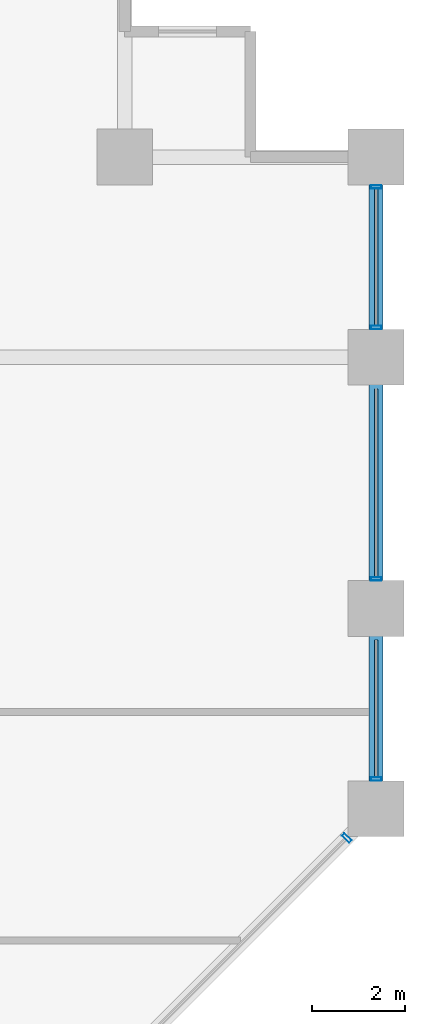
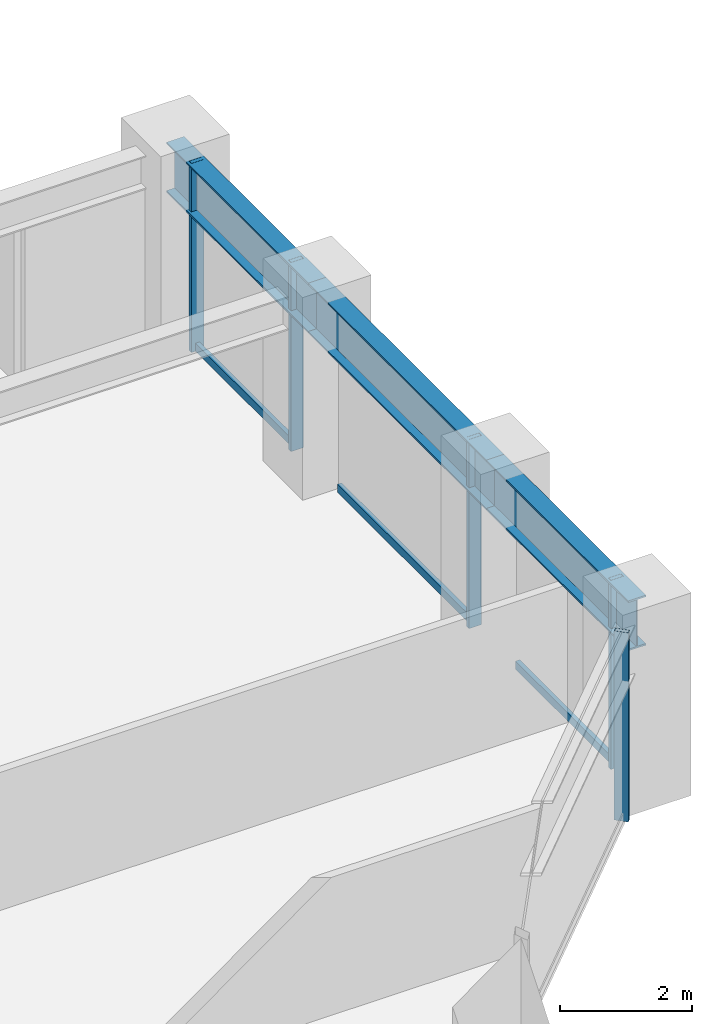
# One storey, part 17 of 26: 8 members, 3 beams, 2 elements without a shape of their own.
"""IFC4 building model written with IfcOpenShell, lengths in metres."""

from ifc_helpers import new_model, si_unit, direction, frame, origin, origin_2d, place, context, subcontext, project, spatial, hollow_rectangle, i_section, extrude, material, layer, layer_set, material_profile, profile_set, type_object, element, aggregate, save


model = new_model("IFC4")

# Units and contexts
model_context = context("Model", 3, precision=1e-05, world=origin(), true_north=direction((0.0, 1.0)))
body_context = subcontext(model_context, "Body", "Model", "MODEL_VIEW")
ifc_project = project(units=[si_unit("LENGTHUNIT", "METRE"), si_unit("AREAUNIT", "SQUARE_METRE"), si_unit("VOLUMEUNIT", "CUBIC_METRE"), si_unit("PLANEANGLEUNIT", "RADIAN"), si_unit("MASSUNIT", "GRAM", prefix="KILO")], contexts=[model_context])

# Site, building, storey
site_placement = place(None, origin())
site = spatial("IfcSite", under=ifc_project, at=site_placement, CompositionType="ELEMENT")
building_placement = place(site_placement, origin())
building = spatial("IfcBuilding", under=site, at=building_placement, Name="Surkhivell Harbour Commons", CompositionType="ELEMENT")
storey_placement = place(building_placement, frame((0.0, 0.0, 75.0)))
storey = spatial("IfcBuildingStorey", under=building, at=storey_placement, Name="L19", CompositionType="ELEMENT", Elevation=75.0)

# Beams
ifc_material_1 = material(Name="Steel S460", Category="steel")
ifc_material_profile_1 = material_profile(ifc_material_1, i_section(OverallWidth=0.30810546875, OverallDepth=0.927001953125, WebThickness=0.01953125, FlangeThickness=0.031982421875, at=origin_2d()), Name="UB914x305x289")
ifc_profile_set_1 = profile_set([ifc_material_profile_1], Name="Steel S460")
beam_type = type_object("IfcBeamType", Name="BM-SPN-914B", PredefinedType="SPANDREL", material=ifc_profile_set_1)
beam_1_placement = place(storey_placement, frame((32.39990234375, 6.5, 3.03662109375), z_axis=(0.0, 1.0, 0.0), x_axis=(-1.0, 0.0, 0.0)))
element("IfcBeam", 1, at=beam_1_placement, inside=storey, type_object=beam_type, Name="L19 Tube Spandrel (32.4,6.5)", PredefinedType="SPANDREL", context=body_context, shape_type="SweptSolid", body=[
    extrude(i_section(OverallWidth=0.30810546875, OverallDepth=0.927001953125, WebThickness=0.01953125, FlangeThickness=0.031982421875, at=origin_2d()), origin(), (0.0, 0.0, 1.0), 4.300048828125),
])
beam_2_placement = place(storey_placement, frame((32.39990234375, 10.800048828125, 3.03662109375), z_axis=(0.0, 1.0, 0.0), x_axis=(-1.0, 0.0, 0.0)))
element("IfcBeam", 2, at=beam_2_placement, inside=storey, type_object=beam_type, Name="L19 Tube Spandrel (32.4,10.8)", PredefinedType="SPANDREL", context=body_context, shape_type="SweptSolid", body=[
    extrude(i_section(OverallWidth=0.30810546875, OverallDepth=0.927001953125, WebThickness=0.01953125, FlangeThickness=0.031982421875, at=origin_2d()), origin(), (0.0, 0.0, 1.0), 5.39990234375),
])
beam_3_placement = place(storey_placement, frame((32.39990234375, 16.199951171875, 3.03662109375), z_axis=(0.0, 1.0, 0.0), x_axis=(-1.0, 0.0, 0.0)))
element("IfcBeam", 3, at=beam_3_placement, inside=storey, type_object=beam_type, Name="L19 Tube Spandrel (32.4,16.2)", PredefinedType="SPANDREL", context=body_context, shape_type="SweptSolid", body=[
    extrude(i_section(OverallWidth=0.30810546875, OverallDepth=0.927001953125, WebThickness=0.01953125, FlangeThickness=0.031982421875, at=origin_2d()), origin(), (0.0, 0.0, 1.0), 4.300048828125),
])

# Curtain wall, member
ifc_material_2 = material(Name="Anodised pale-metal aluminium and insulated glazing", Category="aluminium")
ifc_layer = layer(ifc_material_2, 0.219970703125)
ifc_layer_set = layer_set([ifc_layer], Name="Anodised pale-metal aluminium and insulated glazing")
curtain_wall_type = type_object("IfcCurtainWallType", Name="CW-SYS-Z1", PredefinedType="NOTDEFINED", material=ifc_layer_set)
curtain_wall_1_placement = place(storey_placement, origin())
curtain_wall_1 = element("IfcCurtainWall", 4, at=curtain_wall_1_placement, inside=storey, type_object=curtain_wall_type, Name="L19 Curtain Wall CW-L19-E01", PredefinedType="NOTDEFINED")
ifc_material_3 = material(Name="Anodised pale-metal aluminium alloy 6063-T6", Category="aluminium")
ifc_material_profile_2 = material_profile(ifc_material_3, hollow_rectangle(XDim=0.074951171875, YDim=0.219970703125, WallThickness=0.00390625, at=origin_2d()), Name="ALU-MULL-75x220")
ifc_profile_set_2 = profile_set([ifc_material_profile_2], Name="Anodised pale-metal aluminium alloy 6063-T6")
member_type_1 = type_object("IfcMemberType", Name="CWM-220", PredefinedType="MULLION", material=ifc_profile_set_2)
member_1_placement = place(storey_placement, frame((31.771728515625, 5.871826171875, 0.0), z_axis=(0.0, 0.0, 1.0), x_axis=(0.707106781187, 0.707106781187, 0.0)))
member_1 = element("IfcMember", 5, at=member_1_placement, type_object=member_type_1, Name="CW-Z1 mullion 8", PredefinedType="MULLION", context=body_context, shape_type="SweptSolid", body=[
    extrude(hollow_rectangle(XDim=0.074951171875, YDim=0.219970703125, WallThickness=0.00390625, at=origin_2d()), origin(), (0.0, 0.0, 1.0), 3.5),
])
aggregate(curtain_wall_1, [member_1])

# Curtain wall, members
curtain_wall_2_placement = place(storey_placement, origin())
curtain_wall_2 = element("IfcCurtainWall", 6, at=curtain_wall_2_placement, inside=storey, type_object=curtain_wall_type, Name="L19 Curtain Wall CW-L19-E02", PredefinedType="NOTDEFINED")
member_2_placement = place(storey_placement, frame((32.39990234375, 7.139404296875, 0.0), z_axis=(0.0, 0.0, 1.0), x_axis=(0.0, 1.0, 0.0)))
member_2 = element("IfcMember", 7, at=member_2_placement, type_object=member_type_1, Name="CW-Z1 mullion 1", PredefinedType="MULLION", context=body_context, shape_type="SweptSolid", body=[
    extrude(hollow_rectangle(XDim=0.074951171875, YDim=0.219970703125, WallThickness=0.00390625, at=origin_2d()), origin(), (0.0, 0.0, 1.0), 3.5),
])
member_3_placement = place(storey_placement, frame((32.39990234375, 11.439453125, 0.0), z_axis=(0.0, 0.0, 1.0), x_axis=(0.0, 1.0, 0.0)))
member_3 = element("IfcMember", 8, at=member_3_placement, type_object=member_type_1, Name="CW-Z1 mullion 2", PredefinedType="MULLION", context=body_context, shape_type="SweptSolid", body=[
    extrude(hollow_rectangle(XDim=0.074951171875, YDim=0.219970703125, WallThickness=0.00390625, at=origin_2d()), origin(), (0.0, 0.0, 1.0), 3.5),
])
member_4_placement = place(storey_placement, frame((32.39990234375, 16.839599609375, 0.0), z_axis=(0.0, 0.0, 1.0), x_axis=(0.0, 1.0, 0.0)))
member_4 = element("IfcMember", 9, at=member_4_placement, type_object=member_type_1, Name="CW-Z1 mullion 3", PredefinedType="MULLION", context=body_context, shape_type="SweptSolid", body=[
    extrude(hollow_rectangle(XDim=0.074951171875, YDim=0.219970703125, WallThickness=0.00390625, at=origin_2d()), origin(), (0.0, 0.0, 1.0), 3.5),
])
member_5_placement = place(storey_placement, frame((32.39990234375, 19.860595703125, 0.0), z_axis=(0.0, 0.0, 1.0), x_axis=(0.0, 1.0, 0.0)))
member_5 = element("IfcMember", 10, at=member_5_placement, type_object=member_type_1, Name="CW-Z1 mullion 4", PredefinedType="MULLION", context=body_context, shape_type="SweptSolid", body=[
    extrude(hollow_rectangle(XDim=0.074951171875, YDim=0.219970703125, WallThickness=0.00390625, at=origin_2d()), origin(), (0.0, 0.0, 1.0), 3.5),
])
ifc_material_profile_3 = material_profile(ifc_material_3, hollow_rectangle(XDim=0.074951171875, YDim=0.14990234375, WallThickness=0.00341796875, at=origin_2d()), Name="ALU-TRAN-75x150")
ifc_profile_set_3 = profile_set([ifc_material_profile_3], Name="Anodised pale-metal aluminium alloy 6063-T6")
member_type_2 = type_object("IfcMemberType", Name="CWT-150", PredefinedType="USERDEFINED", material=ifc_profile_set_3)
member_6_placement = place(storey_placement, frame((32.39990234375, 7.177001953125, 0.074951171875), z_axis=(0.0, 1.0, 0.0), x_axis=(-1.0, 0.0, 0.0)))
member_6 = element("IfcMember", 11, at=member_6_placement, type_object=member_type_2, Name="CW-Z1 transom 1.1", ObjectType="TRANSOM", PredefinedType="USERDEFINED", context=body_context, shape_type="SweptSolid", body=[
    extrude(hollow_rectangle(XDim=0.074951171875, YDim=0.14990234375, WallThickness=0.00341796875, at=origin_2d()), origin(), (0.0, 0.0, 1.0), 2.946044921875),
])
member_7_placement = place(storey_placement, frame((32.39990234375, 11.47705078125, 0.074951171875), z_axis=(0.0, 1.0, 0.0), x_axis=(-1.0, 0.0, 0.0)))
member_7 = element("IfcMember", 12, at=member_7_placement, type_object=member_type_2, Name="CW-Z1 transom 2.1", ObjectType="TRANSOM", PredefinedType="USERDEFINED", context=body_context, shape_type="SweptSolid", body=[
    extrude(hollow_rectangle(XDim=0.074951171875, YDim=0.14990234375, WallThickness=0.00341796875, at=origin_2d()), origin(), (0.0, 0.0, 1.0), 4.0458984375),
])
member_8_placement = place(storey_placement, frame((32.39990234375, 16.876953125, 0.074951171875), z_axis=(0.0, 1.0, 0.0), x_axis=(-1.0, 0.0, 0.0)))
member_8 = element("IfcMember", 13, at=member_8_placement, type_object=member_type_2, Name="CW-Z1 transom 3.1", ObjectType="TRANSOM", PredefinedType="USERDEFINED", context=body_context, shape_type="SweptSolid", body=[
    extrude(hollow_rectangle(XDim=0.074951171875, YDim=0.14990234375, WallThickness=0.00341796875, at=origin_2d()), origin(), (0.0, 0.0, 1.0), 2.946044921875),
])
aggregate(curtain_wall_2, [member_2, member_6, member_3, member_7, member_4, member_5, member_8])

save(model, "model.ifc")
